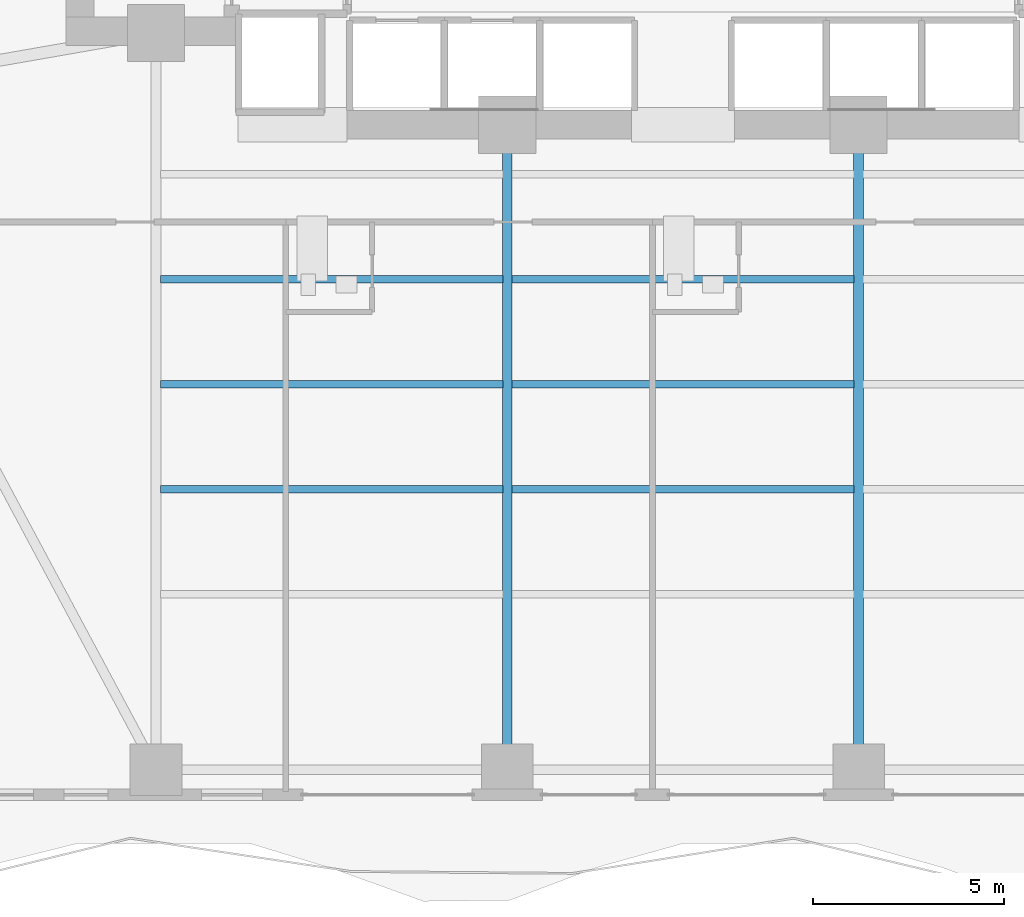
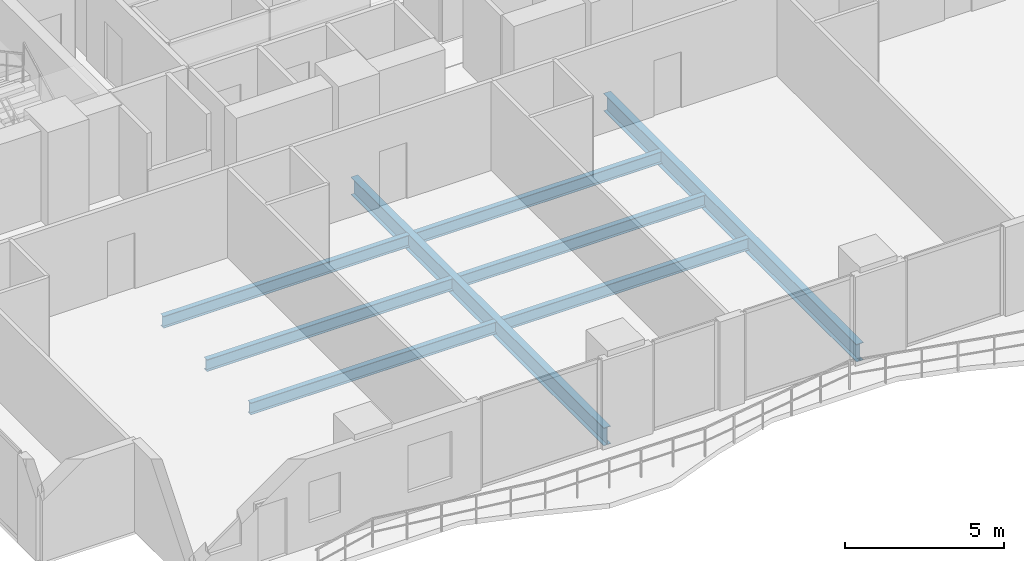
# One storey, part 6 of 28: 8 beams.
"""IFC4 building model written with IfcOpenShell, lengths in metres."""

from ifc_helpers import new_model, si_unit, direction, frame, origin, origin_2d, place, context, subcontext, project, spatial, i_section, extrude, material, material_profile, profile_set, type_object, element, save


model = new_model("IFC4")

# Units and contexts
model_context = context("Model", 3, precision=1e-05, world=origin(), true_north=direction((0.0, 1.0)))
body_context = subcontext(model_context, "Body", "Model", "MODEL_VIEW")
ifc_project = project(units=[si_unit("LENGTHUNIT", "METRE"), si_unit("AREAUNIT", "SQUARE_METRE"), si_unit("VOLUMEUNIT", "CUBIC_METRE"), si_unit("PLANEANGLEUNIT", "RADIAN"), si_unit("MASSUNIT", "GRAM", prefix="KILO")], contexts=[model_context])

# Site, building, storey
site_placement = place(None, origin())
site = spatial("IfcSite", under=ifc_project, at=site_placement, CompositionType="ELEMENT")
building_placement = place(site_placement, origin())
building = spatial("IfcBuilding", under=site, at=building_placement, Name="Zuhayl Quay Hotel", CompositionType="ELEMENT")
storey_placement = place(building_placement, frame((0.0, 0.0, 139.449951171875)))
storey = spatial("IfcBuildingStorey", under=building, at=storey_placement, Name="L35", CompositionType="ELEMENT", Elevation=139.449951171875)

# Beams
ifc_material = material(Name="Steel ASTM A992 Grade 50", Category="steel")
ifc_material_profile_1 = material_profile(ifc_material, i_section(OverallWidth=0.25390625, OverallDepth=0.68310546875, WebThickness=0.012451171875, FlangeThickness=0.018798828125, at=origin_2d()), Name="W27X94")
ifc_profile_set_1 = profile_set([ifc_material_profile_1], Name="Steel ASTM A992 Grade 50")
beam_type_1 = type_object("IfcBeamType", Name="BM_B2_W27X94", PredefinedType="BEAM", material=ifc_profile_set_1)
for number, where, z_axis, x_axis, name in (
    (1, (-4.60009765625, -14.25, -0.5615234375), (0.0, 1.0, 0.0), (-1.0, 0.0, 0.0), "L35 Floor Beam FG_S_L35_2"),
    (2, (4.60009765625, -14.25, -0.5615234375), (0.0, 1.0, 0.0), (-1.0, 0.0, 0.0), "L35 Floor Beam FG_S_L35_3"),
):
    element("IfcBeam", number, at=place(storey_placement, frame(where, z_axis=z_axis, x_axis=x_axis)), inside=storey, type_object=beam_type_1, Name=name, PredefinedType="BEAM", context=body_context, shape_type="SweptSolid", body=[
        extrude(i_section(OverallWidth=0.25390625, OverallDepth=0.68310546875, WebThickness=0.012451171875, FlangeThickness=0.018798828125, at=origin_2d()), origin(), (0.0, 0.0, 1.0), 15.949951171875),
    ])
ifc_material_profile_2 = material_profile(ifc_material, i_section(OverallWidth=0.18994140625, OverallDepth=0.45703125, WebThickness=0.009033203125, FlangeThickness=0.014404296875, at=origin_2d()), Name="W18X50")
ifc_profile_set_2 = profile_set([ifc_material_profile_2], Name="Steel ASTM A992 Grade 50")
beam_type_2 = type_object("IfcBeamType", Name="BM_J2_W18X50", PredefinedType="JOIST", material=ifc_profile_set_2)
for number, where, z_axis, x_axis, name in (
    (3, (-13.680908203125, -7.39990234375, -0.448486328125), (1.0, 0.0, 0.0), (0.0, 1.0, 0.0), "L35 Floor Beam FJ_L35_6_1"),
    (4, (-4.48095703125, -7.39990234375, -0.448486328125), (1.0, 0.0, 0.0), (0.0, 1.0, 0.0), "L35 Floor Beam FJ_L35_6_2"),
    (5, (-13.680908203125, -4.64990234375, -0.448486328125), (1.0, 0.0, 0.0), (0.0, 1.0, 0.0), "L35 Floor Beam FJ_L35_7_1"),
    (6, (-4.48095703125, -4.64990234375, -0.448486328125), (1.0, 0.0, 0.0), (0.0, 1.0, 0.0), "L35 Floor Beam FJ_L35_7_2"),
    (7, (-13.680908203125, -1.89990234375, -0.448486328125), (1.0, 0.0, 0.0), (0.0, 1.0, 0.0), "L35 Floor Beam FJ_L35_8_1"),
    (8, (-4.48095703125, -1.89990234375, -0.448486328125), (1.0, 0.0, 0.0), (0.0, 1.0, 0.0), "L35 Floor Beam FJ_L35_8_2"),
):
    element("IfcBeam", number, at=place(storey_placement, frame(where, z_axis=z_axis, x_axis=x_axis)), inside=storey, type_object=beam_type_2, Name=name, PredefinedType="JOIST", context=body_context, shape_type="SweptSolid", body=[
        extrude(i_section(OverallWidth=0.18994140625, OverallDepth=0.45703125, WebThickness=0.009033203125, FlangeThickness=0.014404296875, at=origin_2d()), origin(), (0.0, 0.0, 1.0), 8.9619140625),
    ])

save(model, "model.ifc")
